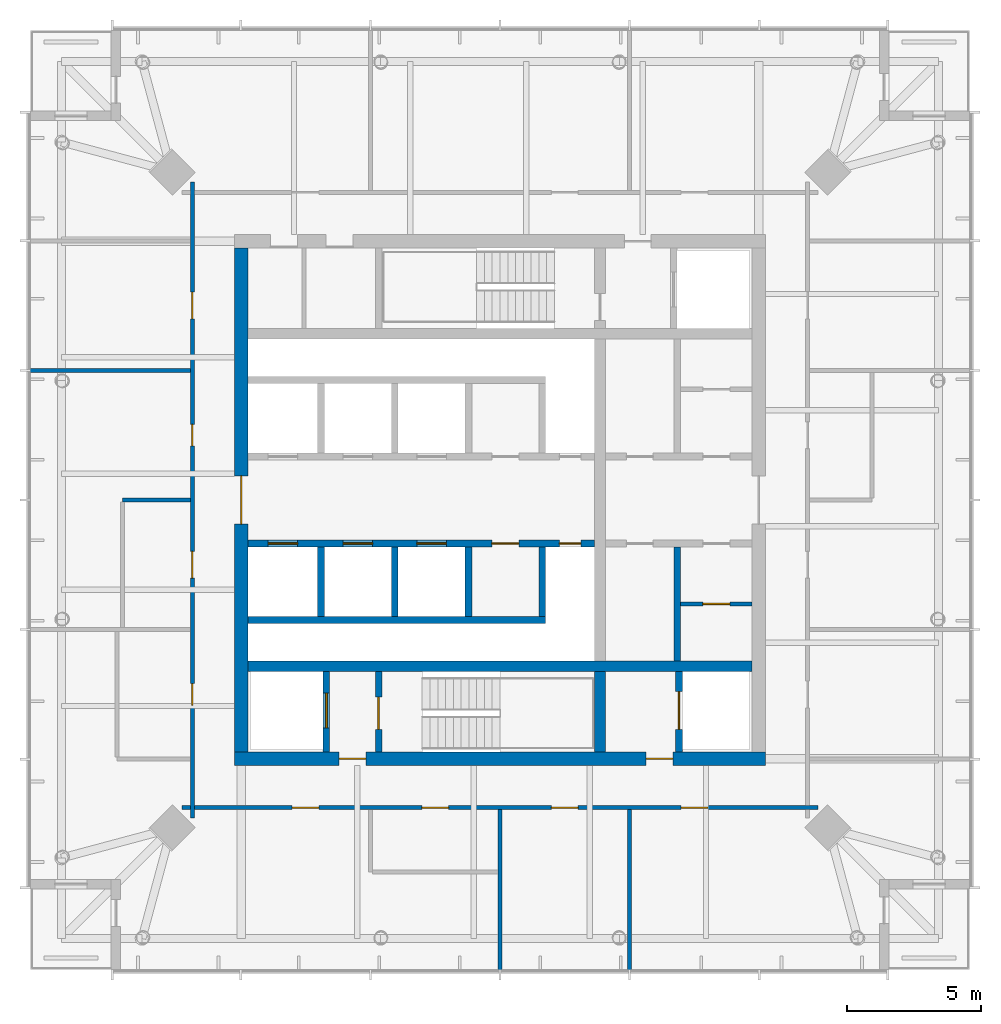
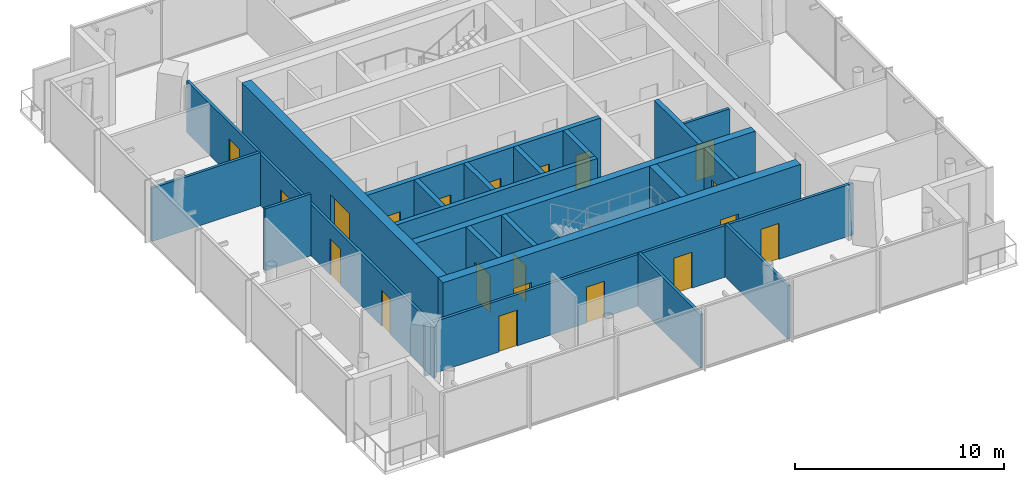
# One storey, part 4 of 7: 21 walls, 20 doors, 20 openings.
"""IFC4 building model written with IfcOpenShell, lengths in metres."""

from ifc_helpers import new_model, si_unit, direction, frame, frame_2d, origin, place, context, subcontext, project, spatial, rectangle, extrude, material, layer, layer_set, type_object, element, fill, save


model = new_model("IFC4")

# Units and contexts
model_context = context("Model", 3, precision=1e-05, world=origin(), true_north=direction((0.0, 1.0)))
body_context = subcontext(model_context, "Body", "Model", "MODEL_VIEW")
ifc_project = project(units=[si_unit("LENGTHUNIT", "METRE"), si_unit("AREAUNIT", "SQUARE_METRE"), si_unit("VOLUMEUNIT", "CUBIC_METRE"), si_unit("PLANEANGLEUNIT", "RADIAN"), si_unit("MASSUNIT", "GRAM", prefix="KILO")], contexts=[model_context])

# Site, building, storey
site_placement = place(None, origin())
site = spatial("IfcSite", under=ifc_project, at=site_placement, CompositionType="ELEMENT")
building_placement = place(site_placement, origin())
building = spatial("IfcBuilding", under=site, at=building_placement, Name="Ostroluk Exchange", CompositionType="ELEMENT")
storey_placement = place(building_placement, frame((0.0, 0.0, 260.39990234375)))
storey = spatial("IfcBuildingStorey", under=building, at=storey_placement, Name="L67", CompositionType="ELEMENT", Elevation=260.39990234375)

# Wall, opening, door
ifc_material_1 = material(Name="Concrete blockwork", Category="masonry")
ifc_layer_1 = layer(ifc_material_1, 0.14990234375)
ifc_layer_set_1 = layer_set([ifc_layer_1], Name="Blockwork plant room wall 150")
wall_type_1 = type_object("IfcWallType", Name="Blockwork plant room wall 150", PredefinedType="SOLIDWALL", material=ifc_layer_set_1)
wall_1_placement = place(storey_placement, frame((51.739990234375, 42.125, 0.0), z_axis=(0.0, 0.0, 1.0), x_axis=(1.0, 0.0, 0.0)))
wall_1 = element("IfcWall", 1, at=wall_1_placement, inside=storey, type_object=wall_type_1, Name="Core room wall", PredefinedType="SOLIDWALL", context=body_context, shape_type="SweptSolid", body=[
    extrude(rectangle(XDim=2.659912109375, YDim=0.14990234375, at=frame_2d((1.330078125, 0.0))), origin(), (0.0, 0.0, 1.0), 3.6201171875),
])
opening_1_placement = place(wall_1_placement, frame((0.830078125, 0.0, 0.0)))
opening_1 = element("IfcOpeningElement", 2, at=opening_1_placement, cuts=wall_1, Name="Opening FD60", PredefinedType="OPENING", context=body_context, shape_type="SweptSolid", body=[
    extrude(rectangle(XDim=1.0, YDim=2.10009765625, at=frame_2d((0.5, 1.050048828125))), frame((0.0, 0.0849609375, 0.0), z_axis=(0.0, -1.0, 0.0), x_axis=(1.0, 0.0, 0.0)), (0.0, 0.0, 1.0), 0.169921875),
])
ifc_material_2 = material(Name="Steel", Category="steel")
door_type_1 = type_object("IfcDoorType", Name="Fire door EI 60 1000 x 2100", OperationType="SINGLE_SWING_LEFT", PredefinedType="DOOR", material=ifc_material_2)
door_1_placement = place(opening_1_placement, origin())
door_1 = element("IfcDoor", 3, at=door_1_placement, inside=storey, type_object=door_type_1, Name="Stationery store door", OperationType="SINGLE_SWING_RIGHT", OverallHeight=2.10009765625, OverallWidth=1.0, PredefinedType="DOOR", context=body_context, shape_type="SweptSolid", body=[
    extrude(rectangle(XDim=1.0, YDim=2.10009765625, at=frame_2d((0.5, 1.050048828125))), frame((0.0, 0.02490234375, 0.0), z_axis=(0.0, -1.0, 0.0), x_axis=(1.0, 0.0, 0.0)), (0.0, 0.0, 1.0), 0.050048828125),
])
fill(opening_1, door_1)

# Walls
ifc_material_3 = material(Name="Concrete C50/60", Category="concrete")
ifc_layer_2 = layer(ifc_material_3, 0.39990234375)
ifc_layer_set_2 = layer_set([ifc_layer_2], Name="Core cross wall 400 C50/60")
wall_type_2 = type_object("IfcWallType", Name="Core cross wall 400 C50/60", PredefinedType="SHEAR", material=ifc_layer_set_2)
wall_2_placement = place(storey_placement, frame((35.60009765625, 39.800048828125, 0.0), z_axis=(0.0, 0.0, 1.0), x_axis=(1.0, 0.0, 0.0)))
element("IfcWall", 4, at=wall_2_placement, inside=storey, type_object=wall_type_2, Name="T1 core wall XS", PredefinedType="SHEAR", context=body_context, shape_type="SweptSolid", body=[
    extrude(rectangle(XDim=18.7998046875, YDim=0.39990234375, at=frame_2d((9.39990234375, 0.0))), origin(), (0.0, 0.0, 1.0), 3.800048828125),
])
wall_3_placement = place(storey_placement, frame((48.72998046875, 36.60009765625, 0.0), z_axis=(0.0, 0.0, 1.0), x_axis=(0.0, 1.0, 0.0)))
element("IfcWall", 5, at=wall_3_placement, inside=storey, type_object=wall_type_2, Name="T1 core wall YE1", PredefinedType="SHEAR", context=body_context, shape_type="SweptSolid", body=[
    extrude(rectangle(XDim=3.0, YDim=0.39990234375, at=frame_2d((1.5, 0.0))), origin(), (0.0, 0.0, 1.0), 3.800048828125),
])

# Wall, opening, door
ifc_material_4 = material(Name="Concrete C40/50", Category="concrete")
ifc_layer_3 = layer(ifc_material_4, 0.25)
ifc_layer_set_3 = layer_set([ifc_layer_3], Name="Core shaft wall 250")
wall_type_3 = type_object("IfcWallType", Name="Core shaft wall 250", PredefinedType="SHEAR", material=ifc_layer_set_3)
wall_4_placement = place(storey_placement, frame((38.52490234375, 36.60009765625, 0.0), z_axis=(0.0, 0.0, 1.0), x_axis=(0.0, 1.0, 0.0)))
wall_4 = element("IfcWall", 6, at=wall_4_placement, inside=storey, type_object=wall_type_3, Name="Firefighting lift shaft wall", PredefinedType="SHEAR", context=body_context, shape_type="SweptSolid", body=[
    extrude(rectangle(XDim=3.0, YDim=0.25, at=frame_2d((1.5, 0.0))), origin(), (0.0, 0.0, 1.0), 3.800048828125),
])
opening_2_placement = place(wall_4_placement, frame((0.89990234375, 0.0, 0.0)))
opening_2 = element("IfcOpeningElement", 7, at=opening_2_placement, cuts=wall_4, Name="Opening LD2", PredefinedType="OPENING", context=body_context, shape_type="SweptSolid", body=[
    extrude(rectangle(XDim=1.300048828125, YDim=2.199951171875, at=frame_2d((0.64990234375, 1.10009765625))), frame((0.0, 0.135009765625, 0.0), z_axis=(0.0, -1.0, 0.0), x_axis=(1.0, 0.0, 0.0)), (0.0, 0.0, 1.0), 0.27001953125),
])
ifc_material_5 = material(Name="Stainless steel", Category="steel")
door_type_2 = type_object("IfcDoorType", Name="Lift landing door E 60 1300 x 2200", OperationType="DOUBLE_DOOR_SLIDING", PredefinedType="DOOR", material=ifc_material_5)
door_2_placement = place(opening_2_placement, origin())
door_2 = element("IfcDoor", 8, at=door_2_placement, inside=storey, type_object=door_type_2, Name="Lift FL1 landing door", OperationType="DOUBLE_DOOR_SLIDING", OverallHeight=2.199951171875, OverallWidth=1.300048828125, PredefinedType="DOOR", context=body_context, shape_type="SweptSolid", body=[
    extrude(rectangle(XDim=1.300048828125, YDim=2.199951171875, at=frame_2d((0.64990234375, 1.10009765625))), frame((0.0, 0.02490234375, 0.0), z_axis=(0.0, -1.0, 0.0), x_axis=(1.0, 0.0, 0.0)), (0.0, 0.0, 1.0), 0.050048828125),
])
fill(opening_2, door_2)

wall_5_placement = place(storey_placement, frame((40.47509765625, 36.60009765625, 0.0), z_axis=(0.0, 0.0, 1.0), x_axis=(0.0, 1.0, 0.0)))
wall_5 = element("IfcWall", 9, at=wall_5_placement, inside=storey, type_object=wall_type_3, Name="Stair shaft wall", PredefinedType="SHEAR", context=body_context, shape_type="SweptSolid", body=[
    extrude(rectangle(XDim=3.0, YDim=0.25, at=frame_2d((1.5, 0.0))), origin(), (0.0, 0.0, 1.0), 3.800048828125),
])
opening_3_placement = place(wall_5_placement, frame((0.85009765625, 0.0, 0.0)))
opening_3 = element("IfcOpeningElement", 10, at=opening_3_placement, cuts=wall_5, Name="Opening FD60S", PredefinedType="OPENING", context=body_context, shape_type="SweptSolid", body=[
    extrude(rectangle(XDim=1.199951171875, YDim=2.10009765625, at=frame_2d((0.60009765625, 1.050048828125))), frame((0.0, 0.135009765625, 0.0), z_axis=(0.0, -1.0, 0.0), x_axis=(1.0, 0.0, 0.0)), (0.0, 0.0, 1.0), 0.27001953125),
])
ifc_material_6 = material(Name="Steel", Category="steel")
door_type_3 = type_object("IfcDoorType", Name="Stair door EI 60 1200 x 2100", OperationType="SINGLE_SWING_LEFT", PredefinedType="DOOR", material=ifc_material_6)
door_3_placement = place(opening_3_placement, origin())
door_3 = element("IfcDoor", 11, at=door_3_placement, inside=storey, type_object=door_type_3, Name="Stair T1-S1 door", OperationType="SINGLE_SWING_LEFT", OverallHeight=2.10009765625, OverallWidth=1.199951171875, PredefinedType="DOOR", context=body_context, shape_type="SweptSolid", body=[
    extrude(rectangle(XDim=1.199951171875, YDim=2.10009765625, at=frame_2d((0.60009765625, 1.050048828125))), frame((0.0, 0.02490234375, 0.0), z_axis=(0.0, -1.0, 0.0), x_axis=(1.0, 0.0, 0.0)), (0.0, 0.0, 1.0), 0.050048828125),
])
fill(opening_3, door_3)

wall_6_placement = place(storey_placement, frame((51.675048828125, 36.60009765625, 0.0), z_axis=(0.0, 0.0, 1.0), x_axis=(0.0, 1.0, 0.0)))
wall_6 = element("IfcWall", 12, at=wall_6_placement, inside=storey, type_object=wall_type_3, Name="Service lift shaft wall", PredefinedType="SHEAR", context=body_context, shape_type="SweptSolid", body=[
    extrude(rectangle(XDim=3.0, YDim=0.25, at=frame_2d((1.5, 0.0))), origin(), (0.0, 0.0, 1.0), 3.800048828125),
])
opening_4_placement = place(wall_6_placement, frame((0.85009765625, 0.0, 0.0)))
opening_4 = element("IfcOpeningElement", 13, at=opening_4_placement, cuts=wall_6, Name="Opening LD3", PredefinedType="OPENING", context=body_context, shape_type="SweptSolid", body=[
    extrude(rectangle(XDim=1.39990234375, YDim=2.39990234375, at=frame_2d((0.699951171875, 1.199951171875))), frame((0.0, 0.135009765625, 0.0), z_axis=(0.0, -1.0, 0.0), x_axis=(1.0, 0.0, 0.0)), (0.0, 0.0, 1.0), 0.27001953125),
])
ifc_material_7 = material(Name="Stainless steel", Category="steel")
door_type_4 = type_object("IfcDoorType", Name="Goods lift landing door E 60 1400 x 2400", OperationType="DOUBLE_DOOR_SLIDING", PredefinedType="DOOR", material=ifc_material_7)
door_4_placement = place(opening_4_placement, origin())
door_4 = element("IfcDoor", 14, at=door_4_placement, inside=storey, type_object=door_type_4, Name="Lift SL1 landing door", OperationType="DOUBLE_DOOR_SLIDING", OverallHeight=2.39990234375, OverallWidth=1.39990234375, PredefinedType="DOOR", context=body_context, shape_type="SweptSolid", body=[
    extrude(rectangle(XDim=1.39990234375, YDim=2.39990234375, at=frame_2d((0.699951171875, 1.199951171875))), frame((0.0, 0.02490234375, 0.0), z_axis=(0.0, -1.0, 0.0), x_axis=(1.0, 0.0, 0.0)), (0.0, 0.0, 1.0), 0.050048828125),
])
fill(opening_4, door_4)

# Walls
for number, where, z_axis, x_axis, name in (
    (15, (38.324951171875, 44.25, 0.0), (0.0, 0.0, 1.0), (0.0, -1.0, 0.0), "Lift shaft wall"),
    (16, (41.074951171875, 44.25, 0.0), (0.0, 0.0, 1.0), (0.0, -1.0, 0.0), "Lift shaft wall"),
    (17, (43.824951171875, 44.25, 0.0), (0.0, 0.0, 1.0), (0.0, -1.0, 0.0), "Lift shaft wall"),
    (18, (46.574951171875, 44.25, 0.0), (0.0, 0.0, 1.0), (0.0, -1.0, 0.0), "Lift shaft wall"),
):
    element("IfcWall", number, at=place(storey_placement, frame(where, z_axis=z_axis, x_axis=x_axis)), inside=storey, type_object=wall_type_3, Name=name, PredefinedType="SHEAR", context=body_context, shape_type="SweptSolid", body=[
        extrude(rectangle(XDim=2.60009765625, YDim=0.25, at=frame_2d((1.300048828125, 0.0))), origin(), (0.0, 0.0, 1.0), 3.800048828125),
    ])
wall_7_placement = place(storey_placement, frame((35.60009765625, 41.52490234375, 0.0), z_axis=(0.0, 0.0, 1.0), x_axis=(1.0, 0.0, 0.0)))
element("IfcWall", 19, at=wall_7_placement, inside=storey, type_object=wall_type_3, Name="Lift shaft wall", PredefinedType="SHEAR", context=body_context, shape_type="SweptSolid", body=[
    extrude(rectangle(XDim=11.099853515625, YDim=0.25, at=frame_2d((5.5498046875, 0.0))), origin(), (0.0, 0.0, 1.0), 3.800048828125),
])

# Wall, openings, doors
wall_8_placement = place(storey_placement, frame((35.60009765625, 44.375, 0.0), z_axis=(0.0, 0.0, 1.0), x_axis=(1.0, 0.0, 0.0)))
wall_8 = element("IfcWall", 20, at=wall_8_placement, inside=storey, type_object=wall_type_3, Name="Lift shaft front wall", PredefinedType="SHEAR", context=body_context, shape_type="SweptSolid", body=[
    extrude(rectangle(XDim=12.929931640625, YDim=0.25, at=frame_2d((6.46484375, 0.0))), origin(), (0.0, 0.0, 1.0), 3.800048828125),
])
opening_5_placement = place(wall_8_placement, frame((0.75, 0.0, 0.0)))
opening_5 = element("IfcOpeningElement", 21, at=opening_5_placement, cuts=wall_8, Name="Opening LD", PredefinedType="OPENING", context=body_context, shape_type="SweptSolid", body=[
    extrude(rectangle(XDim=1.10009765625, YDim=2.199951171875, at=frame_2d((0.550048828125, 1.10009765625))), frame((0.0, 0.135009765625, 0.0), z_axis=(0.0, -1.0, 0.0), x_axis=(1.0, 0.0, 0.0)), (0.0, 0.0, 1.0), 0.27001953125),
])
opening_6_placement = place(wall_8_placement, frame((3.550048828125, 0.0, 0.0)))
opening_6 = element("IfcOpeningElement", 22, at=opening_6_placement, cuts=wall_8, Name="Opening LD", PredefinedType="OPENING", context=body_context, shape_type="SweptSolid", body=[
    extrude(rectangle(XDim=1.10009765625, YDim=2.199951171875, at=frame_2d((0.550048828125, 1.10009765625))), frame((0.0, 0.135009765625, 0.0), z_axis=(0.0, -1.0, 0.0), x_axis=(1.0, 0.0, 0.0)), (0.0, 0.0, 1.0), 0.27001953125),
])
opening_7_placement = place(wall_8_placement, frame((6.300048828125, 0.0, 0.0)))
opening_7 = element("IfcOpeningElement", 23, at=opening_7_placement, cuts=wall_8, Name="Opening LD", PredefinedType="OPENING", context=body_context, shape_type="SweptSolid", body=[
    extrude(rectangle(XDim=1.10009765625, YDim=2.199951171875, at=frame_2d((0.550048828125, 1.10009765625))), frame((0.0, 0.135009765625, 0.0), z_axis=(0.0, -1.0, 0.0), x_axis=(1.0, 0.0, 0.0)), (0.0, 0.0, 1.0), 0.27001953125),
])
opening_8_placement = place(wall_8_placement, frame((9.10009765625, 0.0, 0.0)))
opening_8 = element("IfcOpeningElement", 24, at=opening_8_placement, cuts=wall_8, Name="Opening FD60", PredefinedType="OPENING", context=body_context, shape_type="SweptSolid", body=[
    extrude(rectangle(XDim=1.0, YDim=2.10009765625, at=frame_2d((0.5, 1.050048828125))), frame((0.0, 0.135009765625, 0.0), z_axis=(0.0, -1.0, 0.0), x_axis=(1.0, 0.0, 0.0)), (0.0, 0.0, 1.0), 0.27001953125),
])
opening_9_placement = place(wall_8_placement, frame((11.614990234375, 0.0, 0.0)))
opening_9 = element("IfcOpeningElement", 25, at=opening_9_placement, cuts=wall_8, Name="Opening RD60", PredefinedType="OPENING", context=body_context, shape_type="SweptSolid", body=[
    extrude(rectangle(XDim=0.800048828125, YDim=2.0, at=frame_2d((0.39990234375, 1.0))), frame((0.0, 0.135009765625, 0.0), z_axis=(0.0, -1.0, 0.0), x_axis=(1.0, 0.0, 0.0)), (0.0, 0.0, 1.0), 0.27001953125),
])
door_5_placement = place(opening_8_placement, origin())
door_5 = element("IfcDoor", 26, at=door_5_placement, inside=storey, type_object=door_type_1, Name="Core room door", OperationType="SINGLE_SWING_RIGHT", OverallHeight=2.10009765625, OverallWidth=1.0, PredefinedType="DOOR", context=body_context, shape_type="SweptSolid", body=[
    extrude(rectangle(XDim=1.0, YDim=2.10009765625, at=frame_2d((0.5, 1.050048828125))), frame((0.0, 0.02490234375, 0.0), z_axis=(0.0, -1.0, 0.0), x_axis=(1.0, 0.0, 0.0)), (0.0, 0.0, 1.0), 0.050048828125),
])
fill(opening_8, door_5)
ifc_material_8 = material(Name="Stainless steel", Category="steel")
door_type_5 = type_object("IfcDoorType", Name="Lift landing door E 60 1100 x 2200", OperationType="DOUBLE_DOOR_SLIDING", PredefinedType="DOOR", material=ifc_material_8)
door_6_placement = place(opening_5_placement, origin())
door_6 = element("IfcDoor", 27, at=door_6_placement, inside=storey, type_object=door_type_5, Name="Lift PL-T4 landing door", OperationType="DOUBLE_DOOR_SLIDING", OverallHeight=2.199951171875, OverallWidth=1.10009765625, PredefinedType="DOOR", context=body_context, shape_type="SweptSolid", body=[
    extrude(rectangle(XDim=1.10009765625, YDim=2.199951171875, at=frame_2d((0.550048828125, 1.10009765625))), frame((0.0, 0.02490234375, 0.0), z_axis=(0.0, -1.0, 0.0), x_axis=(1.0, 0.0, 0.0)), (0.0, 0.0, 1.0), 0.050048828125),
])
fill(opening_5, door_6)
door_7_placement = place(opening_6_placement, origin())
door_7 = element("IfcDoor", 28, at=door_7_placement, inside=storey, type_object=door_type_5, Name="Lift PL-T5 landing door", OperationType="DOUBLE_DOOR_SLIDING", OverallHeight=2.199951171875, OverallWidth=1.10009765625, PredefinedType="DOOR", context=body_context, shape_type="SweptSolid", body=[
    extrude(rectangle(XDim=1.10009765625, YDim=2.199951171875, at=frame_2d((0.550048828125, 1.10009765625))), frame((0.0, 0.02490234375, 0.0), z_axis=(0.0, -1.0, 0.0), x_axis=(1.0, 0.0, 0.0)), (0.0, 0.0, 1.0), 0.050048828125),
])
fill(opening_6, door_7)
door_8_placement = place(opening_7_placement, origin())
door_8 = element("IfcDoor", 29, at=door_8_placement, inside=storey, type_object=door_type_5, Name="Lift PL-T6 landing door", OperationType="DOUBLE_DOOR_SLIDING", OverallHeight=2.199951171875, OverallWidth=1.10009765625, PredefinedType="DOOR", context=body_context, shape_type="SweptSolid", body=[
    extrude(rectangle(XDim=1.10009765625, YDim=2.199951171875, at=frame_2d((0.550048828125, 1.10009765625))), frame((0.0, 0.02490234375, 0.0), z_axis=(0.0, -1.0, 0.0), x_axis=(1.0, 0.0, 0.0)), (0.0, 0.0, 1.0), 0.050048828125),
])
fill(opening_7, door_8)
ifc_material_9 = material(Name="Steel", Category="steel")
door_type_6 = type_object("IfcDoorType", Name="Riser access door EI 60 800 x 2000", OperationType="SINGLE_SWING_LEFT", PredefinedType="DOOR", material=ifc_material_9)
door_9_placement = place(opening_9_placement, origin())
door_9 = element("IfcDoor", 30, at=door_9_placement, inside=storey, type_object=door_type_6, Name="Riser access door", OperationType="SINGLE_SWING_RIGHT", OverallHeight=2.0, OverallWidth=0.800048828125, PredefinedType="DOOR", context=body_context, shape_type="SweptSolid", body=[
    extrude(rectangle(XDim=0.800048828125, YDim=2.0, at=frame_2d((0.39990234375, 1.0))), frame((0.0, 0.02490234375, 0.0), z_axis=(0.0, -1.0, 0.0), x_axis=(1.0, 0.0, 0.0)), (0.0, 0.0, 1.0), 0.050048828125),
])
fill(opening_9, door_9)

# Wall
wall_9_placement = place(storey_placement, frame((51.614990234375, 44.25, 0.0), z_axis=(0.0, 0.0, 1.0), x_axis=(0.0, -1.0, 0.0)))
element("IfcWall", 31, at=wall_9_placement, inside=storey, type_object=wall_type_3, Name="Lift shaft wall", PredefinedType="SHEAR", context=body_context, shape_type="SweptSolid", body=[
    extrude(rectangle(XDim=4.25, YDim=0.25, at=frame_2d((2.125, 0.0))), origin(), (0.0, 0.0, 1.0), 3.800048828125),
])

# Wall, openings, doors
ifc_material_10 = material(Name="Concrete C50/60", Category="concrete")
ifc_layer_4 = layer(ifc_material_10, 0.5)
ifc_layer_set_4 = layer_set([ifc_layer_4], Name="Core wall 500 C50/60")
wall_type_4 = type_object("IfcWallType", Name="Core wall 500 C50/60", PredefinedType="SHEAR", material=ifc_layer_set_4)
wall_10_placement = place(storey_placement, frame((35.10009765625, 36.35009765625, 0.0), z_axis=(0.0, 0.0, 1.0), x_axis=(1.0, 0.0, 0.0)))
wall_10 = element("IfcWall", 32, at=wall_10_placement, inside=storey, type_object=wall_type_4, Name="T1 core wall S", PredefinedType="SHEAR", context=body_context, shape_type="SweptSolid", body=[
    extrude(rectangle(XDim=19.7998046875, YDim=0.5, at=frame_2d((9.89990234375, 0.0))), origin(), (0.0, 0.0, 1.0), 3.800048828125),
])
opening_10_placement = place(wall_10_placement, frame((3.89990234375, 0.0, 0.0)))
opening_10 = element("IfcOpeningElement", 33, at=opening_10_placement, cuts=wall_10, Name="Opening FD60", PredefinedType="OPENING", context=body_context, shape_type="SweptSolid", body=[
    extrude(rectangle(XDim=1.0, YDim=2.10009765625, at=frame_2d((0.5, 1.050048828125))), frame((0.0, 0.260009765625, 0.0), z_axis=(0.0, -1.0, 0.0), x_axis=(1.0, 0.0, 0.0)), (0.0, 0.0, 1.0), 0.52001953125),
])
opening_11_placement = place(wall_10_placement, frame((15.35009765625, 0.0, 0.0)))
opening_11 = element("IfcOpeningElement", 34, at=opening_11_placement, cuts=wall_10, Name="Opening FD60", PredefinedType="OPENING", context=body_context, shape_type="SweptSolid", body=[
    extrude(rectangle(XDim=1.0, YDim=2.10009765625, at=frame_2d((0.5, 1.050048828125))), frame((0.0, 0.260009765625, 0.0), z_axis=(0.0, -1.0, 0.0), x_axis=(1.0, 0.0, 0.0)), (0.0, 0.0, 1.0), 0.52001953125),
])
door_10_placement = place(opening_10_placement, origin())
door_10 = element("IfcDoor", 35, at=door_10_placement, inside=storey, type_object=door_type_1, Name="Firefighting lobby door", OperationType="SINGLE_SWING_LEFT", OverallHeight=2.10009765625, OverallWidth=1.0, PredefinedType="DOOR", context=body_context, shape_type="SweptSolid", body=[
    extrude(rectangle(XDim=1.0, YDim=2.10009765625, at=frame_2d((0.5, 1.050048828125))), frame((0.0, 0.02490234375, 0.0), z_axis=(0.0, -1.0, 0.0), x_axis=(1.0, 0.0, 0.0)), (0.0, 0.0, 1.0), 0.050048828125),
])
fill(opening_10, door_10)
door_11_placement = place(opening_11_placement, origin())
door_11 = element("IfcDoor", 36, at=door_11_placement, inside=storey, type_object=door_type_1, Name="Service lobby door", OperationType="SINGLE_SWING_RIGHT", OverallHeight=2.10009765625, OverallWidth=1.0, PredefinedType="DOOR", context=body_context, shape_type="SweptSolid", body=[
    extrude(rectangle(XDim=1.0, YDim=2.10009765625, at=frame_2d((0.5, 1.050048828125))), frame((0.0, 0.02490234375, 0.0), z_axis=(0.0, -1.0, 0.0), x_axis=(1.0, 0.0, 0.0)), (0.0, 0.0, 1.0), 0.050048828125),
])
fill(opening_11, door_11)

# Wall, opening, door
wall_11_placement = place(storey_placement, frame((35.35009765625, 36.60009765625, 0.0), z_axis=(0.0, 0.0, 1.0), x_axis=(0.0, 1.0, 0.0)))
wall_11 = element("IfcWall", 37, at=wall_11_placement, inside=storey, type_object=wall_type_4, Name="T1 core wall W", PredefinedType="SHEAR", context=body_context, shape_type="SweptSolid", body=[
    extrude(rectangle(XDim=18.7998046875, YDim=0.5, at=frame_2d((9.39990234375, 0.0))), origin(), (0.0, 0.0, 1.0), 3.800048828125),
])
opening_12_placement = place(wall_11_placement, frame((8.5, 0.0, 0.0)))
opening_12 = element("IfcOpeningElement", 38, at=opening_12_placement, cuts=wall_11, Name="Opening FD30D", PredefinedType="OPENING", context=body_context, shape_type="SweptSolid", body=[
    extrude(rectangle(XDim=1.800048828125, YDim=2.39990234375, at=frame_2d((0.89990234375, 1.199951171875))), frame((0.0, 0.260009765625, 0.0), z_axis=(0.0, -1.0, 0.0), x_axis=(1.0, 0.0, 0.0)), (0.0, 0.0, 1.0), 0.52001953125),
])
ifc_material_11 = material(Name="Timber", Category="wood")
door_type_7 = type_object("IfcDoorType", Name="Lobby double door EI 30 1800 x 2400", OperationType="DOUBLE_DOOR_SINGLE_SWING", PredefinedType="DOOR", material=ifc_material_11)
door_12_placement = place(opening_12_placement, origin())
door_12 = element("IfcDoor", 39, at=door_12_placement, inside=storey, type_object=door_type_7, Name="Lift lobby doors", OperationType="DOUBLE_DOOR_SINGLE_SWING", OverallHeight=2.39990234375, OverallWidth=1.800048828125, PredefinedType="DOOR", context=body_context, shape_type="SweptSolid", body=[
    extrude(rectangle(XDim=1.800048828125, YDim=2.39990234375, at=frame_2d((0.89990234375, 1.199951171875))), frame((0.0, 0.02490234375, 0.0), z_axis=(0.0, -1.0, 0.0), x_axis=(1.0, 0.0, 0.0)), (0.0, 0.0, 1.0), 0.050048828125),
])
fill(opening_12, door_12)

# Wall, openings, doors
ifc_material_12 = material(Name="Gypsum plasterboard partition", Category="gypsum")
ifc_layer_5 = layer(ifc_material_12, 0.14990234375)
ifc_layer_set_5 = layer_set([ifc_layer_5], Name="Plasterboard partition 150")
wall_type_5 = type_object("IfcWallType", Name="Plasterboard partition 150", PredefinedType="PARTITIONING", material=ifc_layer_set_5)
wall_12_placement = place(storey_placement, frame((33.52490234375, 57.858642578125, 0.0), z_axis=(0.0, 0.0, 1.0), x_axis=(0.0, -1.0, 0.0)))
wall_12 = element("IfcWall", 40, at=wall_12_placement, inside=storey, type_object=wall_type_5, Name="Partition", PredefinedType="PARTITIONING", context=body_context, shape_type="SweptSolid", body=[
    extrude(rectangle(XDim=23.71728515625, YDim=0.14990234375, at=frame_2d((11.858642578125, 0.0))), origin(), (0.0, 0.0, 1.0), 3.02001953125),
])
opening_13_placement = place(wall_12_placement, frame((4.108642578125, 0.0, 0.0)))
opening_13 = element("IfcOpeningElement", 41, at=opening_13_placement, cuts=wall_12, Name="Opening D-03", PredefinedType="OPENING", context=body_context, shape_type="SweptSolid", body=[
    extrude(rectangle(XDim=1.0, YDim=2.10009765625, at=frame_2d((0.5, 1.050048828125))), frame((0.0, 0.0849609375, 0.0), z_axis=(0.0, -1.0, 0.0), x_axis=(1.0, 0.0, 0.0)), (0.0, 0.0, 1.0), 0.169921875),
])
opening_14_placement = place(wall_12_placement, frame((9.0419921875, 0.0, 0.0)))
opening_14 = element("IfcOpeningElement", 42, at=opening_14_placement, cuts=wall_12, Name="Opening D-06", PredefinedType="OPENING", context=body_context, shape_type="SweptSolid", body=[
    extrude(rectangle(XDim=0.800048828125, YDim=2.10009765625, at=frame_2d((0.39990234375, 1.050048828125))), frame((0.0, 0.0849609375, 0.0), z_axis=(0.0, -1.0, 0.0), x_axis=(1.0, 0.0, 0.0)), (0.0, 0.0, 1.0), 0.169921875),
])
opening_15_placement = place(wall_12_placement, frame((13.775390625, 0.0, 0.0)))
opening_15 = element("IfcOpeningElement", 43, at=opening_15_placement, cuts=wall_12, Name="Opening D-03", PredefinedType="OPENING", context=body_context, shape_type="SweptSolid", body=[
    extrude(rectangle(XDim=1.0, YDim=2.10009765625, at=frame_2d((0.5, 1.050048828125))), frame((0.0, 0.0849609375, 0.0), z_axis=(0.0, -1.0, 0.0), x_axis=(1.0, 0.0, 0.0)), (0.0, 0.0, 1.0), 0.169921875),
])
opening_16_placement = place(wall_12_placement, frame((18.70849609375, 0.0, 0.0)))
opening_16 = element("IfcOpeningElement", 44, at=opening_16_placement, cuts=wall_12, Name="Opening D-06", PredefinedType="OPENING", context=body_context, shape_type="SweptSolid", body=[
    extrude(rectangle(XDim=0.800048828125, YDim=2.10009765625, at=frame_2d((0.39990234375, 1.050048828125))), frame((0.0, 0.0849609375, 0.0), z_axis=(0.0, -1.0, 0.0), x_axis=(1.0, 0.0, 0.0)), (0.0, 0.0, 1.0), 0.169921875),
])
ifc_material_13 = material(Name="Timber", Category="wood")
door_type_8 = type_object("IfcDoorType", Name="Internal door 1000 x 2100", OperationType="SINGLE_SWING_LEFT", PredefinedType="DOOR", material=ifc_material_13)
door_13_placement = place(opening_13_placement, origin())
door_13 = element("IfcDoor", 45, at=door_13_placement, inside=storey, type_object=door_type_8, Name="Office door", OperationType="SINGLE_SWING_LEFT", OverallHeight=2.10009765625, OverallWidth=1.0, PredefinedType="DOOR", context=body_context, shape_type="SweptSolid", body=[
    extrude(rectangle(XDim=1.0, YDim=2.10009765625, at=frame_2d((0.5, 1.050048828125))), frame((0.0, 0.02490234375, 0.0), z_axis=(0.0, -1.0, 0.0), x_axis=(1.0, 0.0, 0.0)), (0.0, 0.0, 1.0), 0.050048828125),
])
fill(opening_13, door_13)
door_14_placement = place(opening_15_placement, origin())
door_14 = element("IfcDoor", 46, at=door_14_placement, inside=storey, type_object=door_type_8, Name="Accessible WC door", OperationType="SINGLE_SWING_RIGHT", OverallHeight=2.10009765625, OverallWidth=1.0, PredefinedType="DOOR", context=body_context, shape_type="SweptSolid", body=[
    extrude(rectangle(XDim=1.0, YDim=2.10009765625, at=frame_2d((0.5, 1.050048828125))), frame((0.0, 0.02490234375, 0.0), z_axis=(0.0, -1.0, 0.0), x_axis=(1.0, 0.0, 0.0)), (0.0, 0.0, 1.0), 0.050048828125),
])
fill(opening_15, door_14)
ifc_material_14 = material(Name="Timber", Category="wood")
door_type_9 = type_object("IfcDoorType", Name="Toilet door 800 x 2100", OperationType="SINGLE_SWING_LEFT", PredefinedType="DOOR", material=ifc_material_14)
door_15_placement = place(opening_14_placement, origin())
door_15 = element("IfcDoor", 47, at=door_15_placement, inside=storey, type_object=door_type_9, Name="WC female door", OperationType="SINGLE_SWING_LEFT", OverallHeight=2.10009765625, OverallWidth=0.800048828125, PredefinedType="DOOR", context=body_context, shape_type="SweptSolid", body=[
    extrude(rectangle(XDim=0.800048828125, YDim=2.10009765625, at=frame_2d((0.39990234375, 1.050048828125))), frame((0.0, 0.02490234375, 0.0), z_axis=(0.0, -1.0, 0.0), x_axis=(1.0, 0.0, 0.0)), (0.0, 0.0, 1.0), 0.050048828125),
])
fill(opening_14, door_15)
door_16_placement = place(opening_16_placement, origin())
door_16 = element("IfcDoor", 48, at=door_16_placement, inside=storey, type_object=door_type_9, Name="WC male door", OperationType="SINGLE_SWING_RIGHT", OverallHeight=2.10009765625, OverallWidth=0.800048828125, PredefinedType="DOOR", context=body_context, shape_type="SweptSolid", body=[
    extrude(rectangle(XDim=0.800048828125, YDim=2.10009765625, at=frame_2d((0.39990234375, 1.050048828125))), frame((0.0, 0.02490234375, 0.0), z_axis=(0.0, -1.0, 0.0), x_axis=(1.0, 0.0, 0.0)), (0.0, 0.0, 1.0), 0.050048828125),
])
fill(opening_16, door_16)

# Walls
wall_13_placement = place(storey_placement, frame((33.449951171875, 50.833251953125, 0.0), z_axis=(0.0, 0.0, 1.0), x_axis=(-1.0, 0.0, 0.0)))
element("IfcWall", 49, at=wall_13_placement, inside=storey, type_object=wall_type_5, Name="Partition", PredefinedType="PARTITIONING", context=body_context, shape_type="SweptSolid", body=[
    extrude(rectangle(XDim=5.989990234375, YDim=0.14990234375, at=frame_2d((2.9951171875, 0.0))), origin(), (0.0, 0.0, 1.0), 3.1201171875),
])
wall_14_placement = place(storey_placement, frame((33.449951171875, 46.0, 0.0), z_axis=(0.0, 0.0, 1.0), x_axis=(-1.0, 0.0, 0.0)))
element("IfcWall", 50, at=wall_14_placement, inside=storey, type_object=wall_type_5, Name="Partition", PredefinedType="PARTITIONING", context=body_context, shape_type="SweptSolid", body=[
    extrude(rectangle(XDim=2.52490234375, YDim=0.14990234375, at=frame_2d((1.262451171875, 0.0))), origin(), (0.0, 0.0, 1.0), 3.6201171875),
])

# Wall, openings, doors
wall_15_placement = place(storey_placement, frame((33.141357421875, 34.52490234375, 0.0), z_axis=(0.0, 0.0, 1.0), x_axis=(1.0, 0.0, 0.0)))
wall_15 = element("IfcWall", 51, at=wall_15_placement, inside=storey, type_object=wall_type_5, Name="Partition", PredefinedType="PARTITIONING", context=body_context, shape_type="SweptSolid", body=[
    extrude(rectangle(XDim=23.71728515625, YDim=0.14990234375, at=frame_2d((11.858642578125, 0.0))), origin(), (0.0, 0.0, 1.0), 3.02001953125),
])
opening_17_placement = place(wall_15_placement, frame((4.108642578125, 0.0, 0.0)))
opening_17 = element("IfcOpeningElement", 52, at=opening_17_placement, cuts=wall_15, Name="Opening D-03", PredefinedType="OPENING", context=body_context, shape_type="SweptSolid", body=[
    extrude(rectangle(XDim=1.0, YDim=2.10009765625, at=frame_2d((0.5, 1.050048828125))), frame((0.0, 0.0849609375, 0.0), z_axis=(0.0, -1.0, 0.0), x_axis=(1.0, 0.0, 0.0)), (0.0, 0.0, 1.0), 0.169921875),
])
opening_18_placement = place(wall_15_placement, frame((8.94189453125, 0.0, 0.0)))
opening_18 = element("IfcOpeningElement", 53, at=opening_18_placement, cuts=wall_15, Name="Opening D-03", PredefinedType="OPENING", context=body_context, shape_type="SweptSolid", body=[
    extrude(rectangle(XDim=1.0, YDim=2.10009765625, at=frame_2d((0.5, 1.050048828125))), frame((0.0, 0.0849609375, 0.0), z_axis=(0.0, -1.0, 0.0), x_axis=(1.0, 0.0, 0.0)), (0.0, 0.0, 1.0), 0.169921875),
])
opening_19_placement = place(wall_15_placement, frame((13.775390625, 0.0, 0.0)))
opening_19 = element("IfcOpeningElement", 54, at=opening_19_placement, cuts=wall_15, Name="Opening D-03", PredefinedType="OPENING", context=body_context, shape_type="SweptSolid", body=[
    extrude(rectangle(XDim=1.0, YDim=2.10009765625, at=frame_2d((0.5, 1.050048828125))), frame((0.0, 0.0849609375, 0.0), z_axis=(0.0, -1.0, 0.0), x_axis=(1.0, 0.0, 0.0)), (0.0, 0.0, 1.0), 0.169921875),
])
opening_20_placement = place(wall_15_placement, frame((18.608642578125, 0.0, 0.0)))
opening_20 = element("IfcOpeningElement", 55, at=opening_20_placement, cuts=wall_15, Name="Opening D-03", PredefinedType="OPENING", context=body_context, shape_type="SweptSolid", body=[
    extrude(rectangle(XDim=1.0, YDim=2.10009765625, at=frame_2d((0.5, 1.050048828125))), frame((0.0, 0.0849609375, 0.0), z_axis=(0.0, -1.0, 0.0), x_axis=(1.0, 0.0, 0.0)), (0.0, 0.0, 1.0), 0.169921875),
])
door_17_placement = place(opening_17_placement, origin())
door_17 = element("IfcDoor", 56, at=door_17_placement, inside=storey, type_object=door_type_8, Name="Corner office door", OperationType="SINGLE_SWING_LEFT", OverallHeight=2.10009765625, OverallWidth=1.0, PredefinedType="DOOR", context=body_context, shape_type="SweptSolid", body=[
    extrude(rectangle(XDim=1.0, YDim=2.10009765625, at=frame_2d((0.5, 1.050048828125))), frame((0.0, 0.02490234375, 0.0), z_axis=(0.0, -1.0, 0.0), x_axis=(1.0, 0.0, 0.0)), (0.0, 0.0, 1.0), 0.050048828125),
])
fill(opening_17, door_17)
door_18_placement = place(opening_18_placement, origin())
door_18 = element("IfcDoor", 57, at=door_18_placement, inside=storey, type_object=door_type_8, Name="Print and store room door", OperationType="SINGLE_SWING_LEFT", OverallHeight=2.10009765625, OverallWidth=1.0, PredefinedType="DOOR", context=body_context, shape_type="SweptSolid", body=[
    extrude(rectangle(XDim=1.0, YDim=2.10009765625, at=frame_2d((0.5, 1.050048828125))), frame((0.0, 0.02490234375, 0.0), z_axis=(0.0, -1.0, 0.0), x_axis=(1.0, 0.0, 0.0)), (0.0, 0.0, 1.0), 0.050048828125),
])
fill(opening_18, door_18)
door_19_placement = place(opening_19_placement, origin())
door_19 = element("IfcDoor", 58, at=door_19_placement, inside=storey, type_object=door_type_8, Name="Office door", OperationType="SINGLE_SWING_RIGHT", OverallHeight=2.10009765625, OverallWidth=1.0, PredefinedType="DOOR", context=body_context, shape_type="SweptSolid", body=[
    extrude(rectangle(XDim=1.0, YDim=2.10009765625, at=frame_2d((0.5, 1.050048828125))), frame((0.0, 0.02490234375, 0.0), z_axis=(0.0, -1.0, 0.0), x_axis=(1.0, 0.0, 0.0)), (0.0, 0.0, 1.0), 0.050048828125),
])
fill(opening_19, door_19)
door_20_placement = place(opening_20_placement, origin())
door_20 = element("IfcDoor", 59, at=door_20_placement, inside=storey, type_object=door_type_8, Name="Office door", OperationType="SINGLE_SWING_RIGHT", OverallHeight=2.10009765625, OverallWidth=1.0, PredefinedType="DOOR", context=body_context, shape_type="SweptSolid", body=[
    extrude(rectangle(XDim=1.0, YDim=2.10009765625, at=frame_2d((0.5, 1.050048828125))), frame((0.0, 0.02490234375, 0.0), z_axis=(0.0, -1.0, 0.0), x_axis=(1.0, 0.0, 0.0)), (0.0, 0.0, 1.0), 0.050048828125),
])
fill(opening_20, door_20)

# Walls
for number, where, z_axis, x_axis, name in (
    (60, (45.0, 34.449951171875, 0.0), (0.0, 0.0, 1.0), (0.0, -1.0, 0.0), "Partition"),
    (61, (49.833251953125, 34.449951171875, 0.0), (0.0, 0.0, 1.0), (0.0, -1.0, 0.0), "Partition"),
):
    element("IfcWall", number, at=place(storey_placement, frame(where, z_axis=z_axis, x_axis=x_axis)), inside=storey, type_object=wall_type_5, Name=name, PredefinedType="PARTITIONING", context=body_context, shape_type="SweptSolid", body=[
        extrude(rectangle(XDim=5.989990234375, YDim=0.14990234375, at=frame_2d((2.9951171875, 0.0))), origin(), (0.0, 0.0, 1.0), 3.1201171875),
    ])

save(model, "model.ifc")
